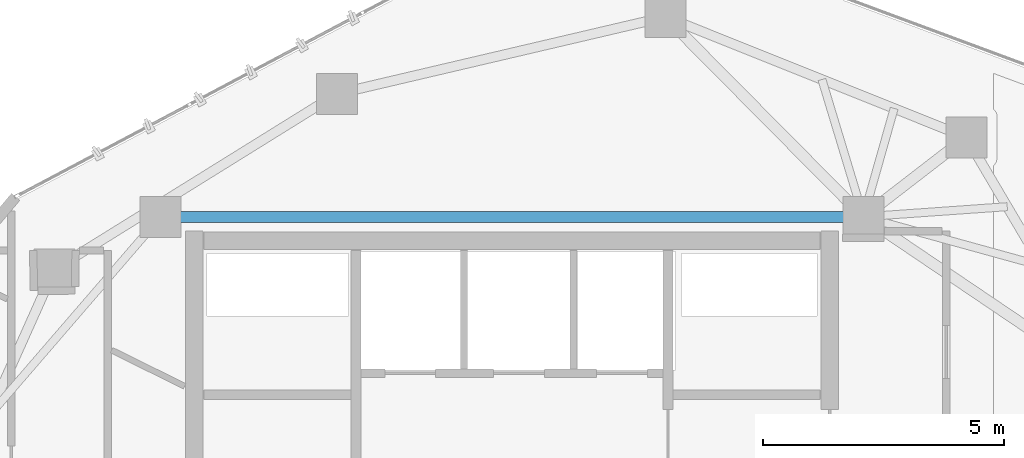
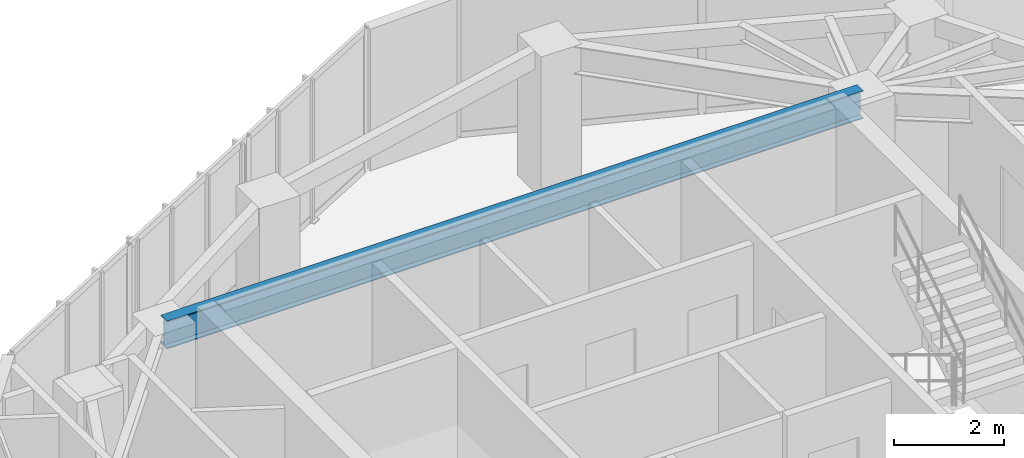
# One storey, part 10 of 20: 1 beam.
"""IFC4 building model written with IfcOpenShell, lengths in metres."""

from ifc_helpers import new_model, si_unit, direction, frame, origin, origin_2d, place, context, subcontext, project, spatial, i_section, extrude, material, material_profile, profile_set, type_object, element, save


model = new_model("IFC4")

# Units and contexts
model_context = context("Model", 3, precision=1e-05, world=origin(), true_north=direction((0.0, 1.0)))
body_context = subcontext(model_context, "Body", "Model", "MODEL_VIEW")
ifc_project = project(units=[si_unit("LENGTHUNIT", "METRE"), si_unit("AREAUNIT", "SQUARE_METRE"), si_unit("VOLUMEUNIT", "CUBIC_METRE"), si_unit("PLANEANGLEUNIT", "RADIAN"), si_unit("MASSUNIT", "GRAM", prefix="KILO")], contexts=[model_context])

# Site, building, storey
site_placement = place(None, origin())
site = spatial("IfcSite", under=ifc_project, at=site_placement, CompositionType="ELEMENT")
building_placement = place(site_placement, origin())
building = spatial("IfcBuilding", under=site, at=building_placement, Name="Talar Marvaseh", CompositionType="ELEMENT")
storey_placement = place(building_placement, frame((0.0, 0.0, 261.199951171875)))
storey = spatial("IfcBuildingStorey", under=building, at=storey_placement, Name="L69", CompositionType="ELEMENT", Elevation=261.199951171875)

# Beam
ifc_material = material(Name="Steel S355", Category="steel")
ifc_material_profile = material_profile(ifc_material, i_section(OverallWidth=0.22998046875, OverallDepth=0.616943359375, WebThickness=0.01318359375, FlangeThickness=0.022216796875, at=origin_2d()), Name="W610x140")
ifc_profile_set = profile_set([ifc_material_profile], Name="Steel S355")
beam_type = type_object("IfcBeamType", Name="Zone 4 Radial Floor Girder W610x140", PredefinedType="BEAM", material=ifc_profile_set)
beam_placement = place(storey_placement, frame((18.699951171875, 36.89990234375, 2.83154296875), z_axis=(1.0, 0.0, 0.0), x_axis=(0.0, 1.0, 0.0)))
element("IfcBeam", 1, at=beam_placement, inside=storey, type_object=beam_type, Name="L69 Zone 4 Radial Floor Girder W610x140", PredefinedType="BEAM", context=body_context, shape_type="SweptSolid", body=[
    extrude(i_section(OverallWidth=0.22998046875, OverallDepth=0.616943359375, WebThickness=0.01318359375, FlangeThickness=0.022216796875, at=origin_2d()), origin(), (0.0, 0.0, 1.0), 14.60009765625),
])

save(model, "model.ifc")
